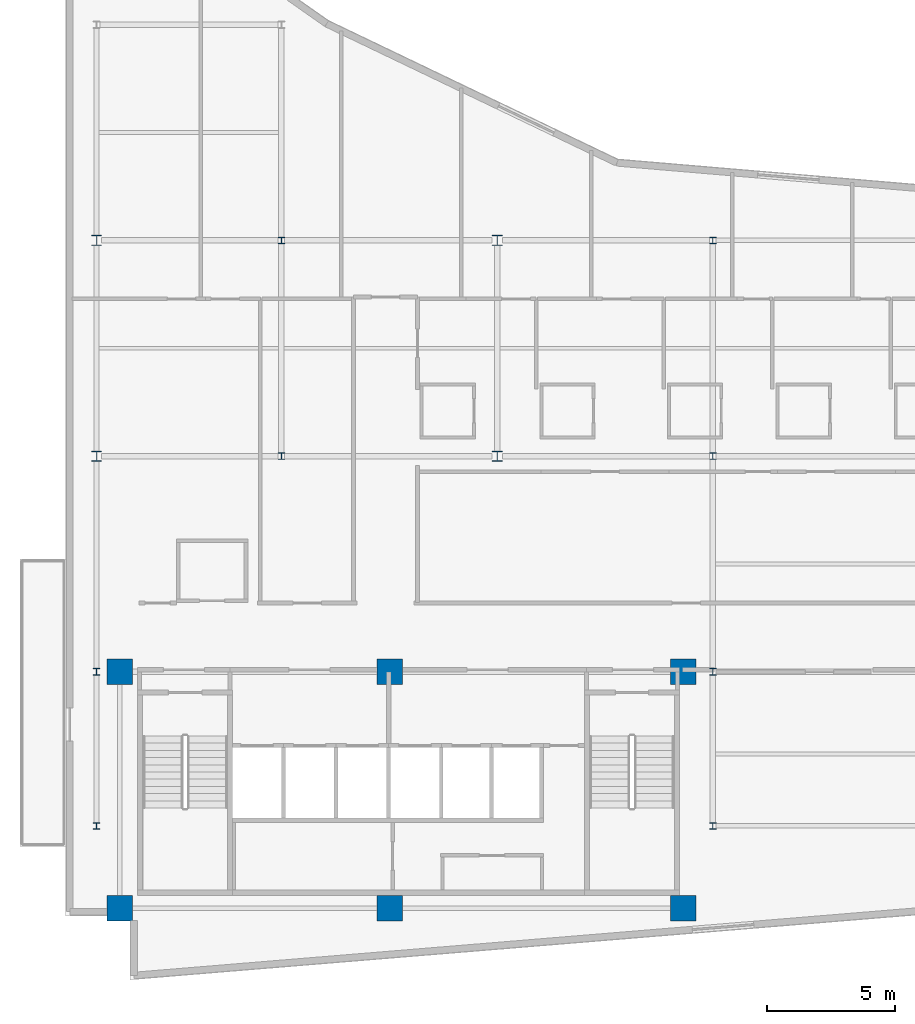
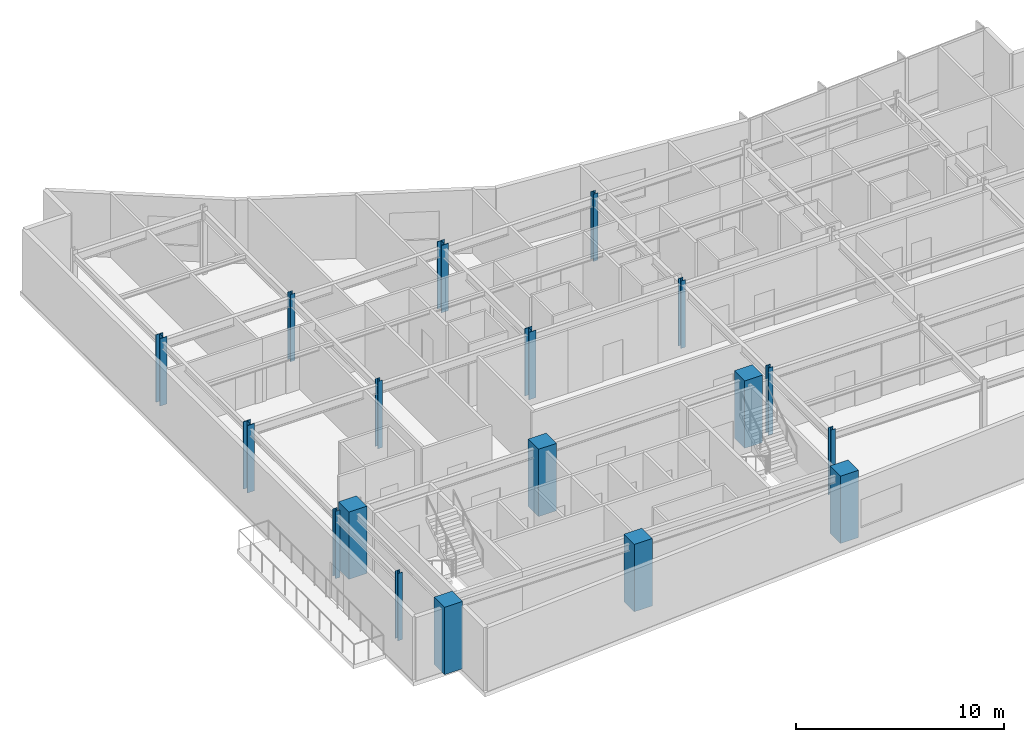
# One storey, part 1 of 17: 18 columns.
"""IFC4 building model written with IfcOpenShell, lengths in metres."""

from ifc_helpers import new_model, si_unit, direction, frame, origin, origin_2d, place, context, subcontext, project, spatial, rectangle, i_section, extrude, material, material_profile, profile_set, type_object, element, save


model = new_model("IFC4")

# Units and contexts
model_context = context("Model", 3, precision=1e-05, world=origin(), true_north=direction((0.0, 1.0)))
body_context = subcontext(model_context, "Body", "Model", "MODEL_VIEW")
ifc_project = project(units=[si_unit("LENGTHUNIT", "METRE"), si_unit("AREAUNIT", "SQUARE_METRE"), si_unit("VOLUMEUNIT", "CUBIC_METRE"), si_unit("PLANEANGLEUNIT", "RADIAN"), si_unit("MASSUNIT", "GRAM", prefix="KILO")], contexts=[model_context])

# Site, building, storey
site_placement = place(None, origin())
site = spatial("IfcSite", under=ifc_project, at=site_placement, CompositionType="ELEMENT")
building_placement = place(site_placement, origin())
building = spatial("IfcBuilding", under=site, at=building_placement, Name="Varnakote Quay Hospital", CompositionType="ELEMENT")
storey_placement = place(building_placement, frame((0.0, 0.0, 219.75)))
storey = spatial("IfcBuildingStorey", under=building, at=storey_placement, Name="L54", CompositionType="ELEMENT", Elevation=219.75)

# Columns
ifc_material_1 = material(Name="Concrete N65 (f'c 65 MPa)", Category="concrete")
ifc_material_profile_1 = material_profile(ifc_material_1, rectangle(XDim=1.0, YDim=1.0, at=origin_2d()), Name="RC-COL-1000x1000")
ifc_profile_set_1 = profile_set([ifc_material_profile_1], Name="Concrete N65 (f'c 65 MPa)")
column_type_1 = type_object("IfcColumnType", Name="COL-RC-1000", PredefinedType="COLUMN", material=ifc_profile_set_1)
for number, where, z_axis, x_axis, name in (
    (1, (2.10009765625, 2.800048828125, 0.0), (0.0, 0.0, 1.0), (1.0, 0.0, 0.0), "L54 Structural Column C-2-3"),
    (2, (12.6201171875, 2.800048828125, 0.0), (0.0, 0.0, 1.0), (1.0, 0.0, 0.0), "L54 Structural Column C-13-3"),
    (3, (24.050048828125, 2.800048828125, 0.0), (0.0, 0.0, 1.0), (1.0, 0.0, 0.0), "L54 Structural Column C-24-3"),
    (4, (2.10009765625, 12.0, 0.0), (0.0, 0.0, 1.0), (1.0, 0.0, 0.0), "L54 Structural Column C-2-12"),
    (5, (12.6201171875, 12.0, 0.0), (0.0, 0.0, 1.0), (1.0, 0.0, 0.0), "L54 Structural Column C-13-12"),
    (6, (24.050048828125, 12.0, 0.0), (0.0, 0.0, 1.0), (1.0, 0.0, 0.0), "L54 Structural Column C-24-12"),
):
    element("IfcColumn", number, at=place(storey_placement, frame(where, z_axis=z_axis, x_axis=x_axis)), inside=storey, type_object=column_type_1, Name=name, PredefinedType="COLUMN", context=body_context, shape_type="SweptSolid", body=[
        extrude(rectangle(XDim=1.0, YDim=1.0, at=origin_2d()), origin(), (0.0, 0.0, 1.0), 3.949951171875),
    ])
ifc_material_2 = material(Name="Structural steel AS/NZS 3679.1 Grade 350 L0 (fy 340 MPa)", Category="steel")
ifc_material_profile_2 = material_profile(ifc_material_2, i_section(OverallWidth=0.256103515625, OverallDepth=0.260009765625, WebThickness=0.010498046875, FlangeThickness=0.017333984375, FilletRadius=0.0126953125, at=origin_2d()), Name="250UC89.5")
ifc_profile_set_2 = profile_set([ifc_material_profile_2], Name="Structural steel AS/NZS 3679.1 Grade 350 L0 (fy 340 MPa)")
column_type_2 = type_object("IfcColumnType", Name="COL-STL-250UC89-5", PredefinedType="COLUMN", material=ifc_profile_set_2)
for number, where, z_axis, x_axis, name in (
    (7, (1.199951171875, 6.0, 0.0), (0.0, 0.0, 1.0), (1.0, 0.0, 0.0), "L54 Structural Column C-1-6"),
    (8, (25.199951171875, 6.0, 0.0), (0.0, 0.0, 1.0), (1.0, 0.0, 0.0), "L54 Structural Column C-25-6"),
    (9, (1.199951171875, 12.0, 0.0), (0.0, 0.0, 1.0), (1.0, 0.0, 0.0), "L54 Structural Column C-1-12"),
    (10, (25.199951171875, 12.0, 0.0), (0.0, 0.0, 1.0), (1.0, 0.0, 0.0), "L54 Structural Column C-25-12"),
    (11, (8.39990234375, 20.39990234375, 0.0), (0.0, 0.0, 1.0), (1.0, 0.0, 0.0), "L54 Structural Column C-8-20"),
    (12, (25.199951171875, 20.39990234375, 0.0), (0.0, 0.0, 1.0), (1.0, 0.0, 0.0), "L54 Structural Column C-25-20"),
    (13, (8.39990234375, 28.800048828125, 0.0), (0.0, 0.0, 1.0), (1.0, 0.0, 0.0), "L54 Structural Column C-8-29"),
    (14, (25.199951171875, 28.800048828125, 0.0), (0.0, 0.0, 1.0), (1.0, 0.0, 0.0), "L54 Structural Column C-25-29"),
):
    element("IfcColumn", number, at=place(storey_placement, frame(where, z_axis=z_axis, x_axis=x_axis)), inside=storey, type_object=column_type_2, Name=name, PredefinedType="COLUMN", context=body_context, shape_type="SweptSolid", body=[
        extrude(i_section(OverallWidth=0.256103515625, OverallDepth=0.260009765625, WebThickness=0.010498046875, FlangeThickness=0.017333984375, FilletRadius=0.0126953125, at=origin_2d()), origin(), (0.0, 0.0, 1.0), 3.949951171875),
    ])
ifc_material_3 = material(Name="Structural steel AS/NZS 3678 Grade 350 (fy 340 MPa)", Category="steel")
ifc_material_profile_3 = material_profile(ifc_material_3, i_section(OverallWidth=0.39990234375, OverallDepth=0.404052734375, WebThickness=0.02001953125, FlangeThickness=0.031982421875, at=origin_2d()), Name="400WC270")
ifc_profile_set_3 = profile_set([ifc_material_profile_3], Name="Structural steel AS/NZS 3678 Grade 350 (fy 340 MPa)")
column_type_3 = type_object("IfcColumnType", Name="COL-STL-400WC270", PredefinedType="COLUMN", material=ifc_profile_set_3)
for number, where, z_axis, x_axis, name in (
    (15, (1.199951171875, 20.39990234375, 0.0), (0.0, 0.0, 1.0), (1.0, 0.0, 0.0), "L54 Structural Column C-1-20"),
    (16, (16.800048828125, 20.39990234375, 0.0), (0.0, 0.0, 1.0), (1.0, 0.0, 0.0), "L54 Structural Column C-17-20"),
    (17, (1.199951171875, 28.800048828125, 0.0), (0.0, 0.0, 1.0), (1.0, 0.0, 0.0), "L54 Structural Column C-1-29"),
    (18, (16.800048828125, 28.800048828125, 0.0), (0.0, 0.0, 1.0), (1.0, 0.0, 0.0), "L54 Structural Column C-17-29"),
):
    element("IfcColumn", number, at=place(storey_placement, frame(where, z_axis=z_axis, x_axis=x_axis)), inside=storey, type_object=column_type_3, Name=name, PredefinedType="COLUMN", context=body_context, shape_type="SweptSolid", body=[
        extrude(i_section(OverallWidth=0.39990234375, OverallDepth=0.404052734375, WebThickness=0.02001953125, FlangeThickness=0.031982421875, at=origin_2d()), origin(), (0.0, 0.0, 1.0), 3.949951171875),
    ])

save(model, "model.ifc")
